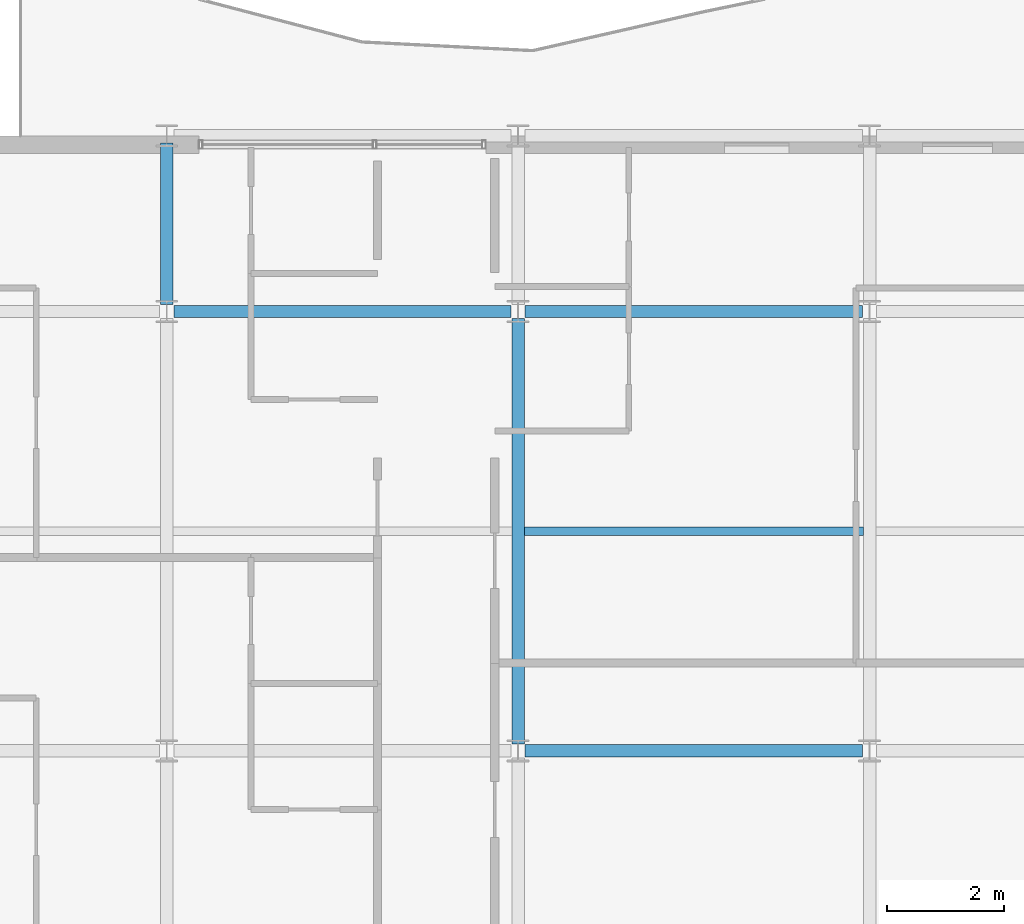
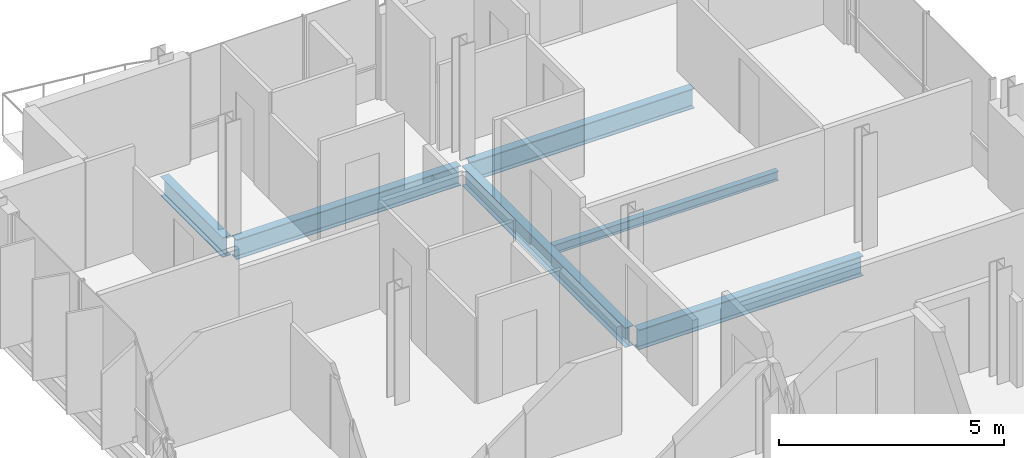
# One storey, part 7 of 30: 6 beams.
"""IFC4 building model written with IfcOpenShell, lengths in metres."""

from ifc_helpers import new_model, si_unit, direction, frame, origin, origin_2d, place, context, subcontext, project, spatial, i_section, extrude, material, material_profile, profile_set, type_object, element, save


model = new_model("IFC4")

# Units and contexts
model_context = context("Model", 3, precision=1e-05, world=origin(), true_north=direction((0.0, 1.0)))
body_context = subcontext(model_context, "Body", "Model", "MODEL_VIEW")
ifc_project = project(units=[si_unit("LENGTHUNIT", "METRE"), si_unit("AREAUNIT", "SQUARE_METRE"), si_unit("VOLUMEUNIT", "CUBIC_METRE"), si_unit("PLANEANGLEUNIT", "RADIAN"), si_unit("MASSUNIT", "GRAM", prefix="KILO")], contexts=[model_context])

# Site, building, storey
site_placement = place(None, origin())
site = spatial("IfcSite", under=ifc_project, at=site_placement, CompositionType="ELEMENT")
building_placement = place(site_placement, origin())
building = spatial("IfcBuilding", under=site, at=building_placement, Name="Brevholm Reach", CompositionType="ELEMENT")
storey_placement = place(building_placement, frame((0.0, 0.0, 204.89990234375)))
storey = spatial("IfcBuildingStorey", under=building, at=storey_placement, Name="L62", CompositionType="ELEMENT", Elevation=204.89990234375)

# Beams
ifc_material_1 = material(Name="Structural Steel S355J2", Category="steel")
ifc_material_profile_1 = material_profile(ifc_material_1, i_section(OverallWidth=0.14599609375, OverallDepth=0.25146484375, WebThickness=0.006103515625, FlangeThickness=0.008544921875, FilletRadius=0.007568359375, at=origin_2d()), Name="UKB 254x146x31")
ifc_profile_set_1 = profile_set([ifc_material_profile_1], Name="Structural Steel S355J2")
beam_type_1 = type_object("IfcBeamType", Name="BM-B254", PredefinedType="BEAM", material=ifc_profile_set_1)
beam_1_placement = place(storey_placement, frame((12.10546875, 19.75, -0.335693359375), z_axis=(1.0, 0.0, 0.0), x_axis=(0.0, 1.0, 0.0)))
element("IfcBeam", 1, at=beam_1_placement, inside=storey, type_object=beam_type_1, Name="L62 Composite Secondary Floor Beam", PredefinedType="BEAM", context=body_context, shape_type="SweptSolid", body=[
    extrude(i_section(OverallWidth=0.14599609375, OverallDepth=0.25146484375, WebThickness=0.006103515625, FlangeThickness=0.008544921875, FilletRadius=0.007568359375, at=origin_2d()), origin(), (0.0, 0.0, 1.0), 5.7890625),
])
ifc_material_2 = material(Name="Structural Steel S355J2", Category="steel")
ifc_material_profile_2 = material_profile(ifc_material_2, i_section(OverallWidth=0.210693359375, OverallDepth=0.53955078125, WebThickness=0.01171875, FlangeThickness=0.018798828125, FilletRadius=0.0126953125, at=origin_2d()), Name="UKB 533x210x109")
ifc_profile_set_2 = profile_set([ifc_material_profile_2], Name="Structural Steel S355J2")
beam_type_2 = type_object("IfcBeamType", Name="BM-SP539", PredefinedType="SPANDREL", material=ifc_profile_set_2)
for number, where, z_axis, x_axis, name in (
    (2, (12.1201171875, 16.0, -0.479736328125), (1.0, 0.0, 0.0), (0.0, 1.0, 0.0), "L62 SP-01B Framing Beam"),
    (3, (6.1201171875, 23.5, -0.479736328125), (1.0, 0.0, 0.0), (0.0, 1.0, 0.0), "L62 SP-01B Framing Beam"),
    (4, (12.1201171875, 23.5, -0.479736328125), (1.0, 0.0, 0.0), (0.0, 1.0, 0.0), "L62 SP-01B Framing Beam"),
):
    element("IfcBeam", number, at=place(storey_placement, frame(where, z_axis=z_axis, x_axis=x_axis)), inside=storey, type_object=beam_type_2, Name=name, PredefinedType="SPANDREL", context=body_context, shape_type="SweptSolid", body=[
        extrude(i_section(OverallWidth=0.210693359375, OverallDepth=0.53955078125, WebThickness=0.01171875, FlangeThickness=0.018798828125, FilletRadius=0.0126953125, at=origin_2d()), origin(), (0.0, 0.0, 1.0), 5.759765625),
    ])
beam_2_placement = place(storey_placement, frame((6.0, 23.6201171875, -0.479736328125), z_axis=(0.0, 1.0, 0.0), x_axis=(-1.0, 0.0, 0.0)))
element("IfcBeam", 5, at=beam_2_placement, inside=storey, type_object=beam_type_2, Name="L62 SP-01B Framing Beam", PredefinedType="SPANDREL", context=body_context, shape_type="SweptSolid", body=[
    extrude(i_section(OverallWidth=0.210693359375, OverallDepth=0.53955078125, WebThickness=0.01171875, FlangeThickness=0.018798828125, FilletRadius=0.0126953125, at=origin_2d()), origin(), (0.0, 0.0, 1.0), 2.759765625),
])
beam_3_placement = place(storey_placement, frame((12.0, 16.1201171875, -0.479736328125), z_axis=(0.0, 1.0, 0.0), x_axis=(-1.0, 0.0, 0.0)))
element("IfcBeam", 6, at=beam_3_placement, inside=storey, type_object=beam_type_2, Name="L62 SP-01B Framing Beam", PredefinedType="SPANDREL", context=body_context, shape_type="SweptSolid", body=[
    extrude(i_section(OverallWidth=0.210693359375, OverallDepth=0.53955078125, WebThickness=0.01171875, FlangeThickness=0.018798828125, FilletRadius=0.0126953125, at=origin_2d()), origin(), (0.0, 0.0, 1.0), 7.259765625),
])

save(model, "model.ifc")
